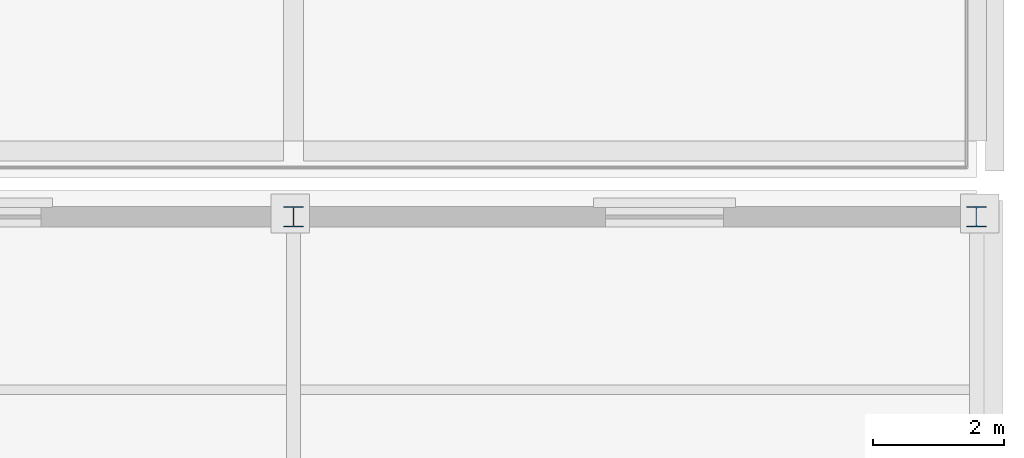
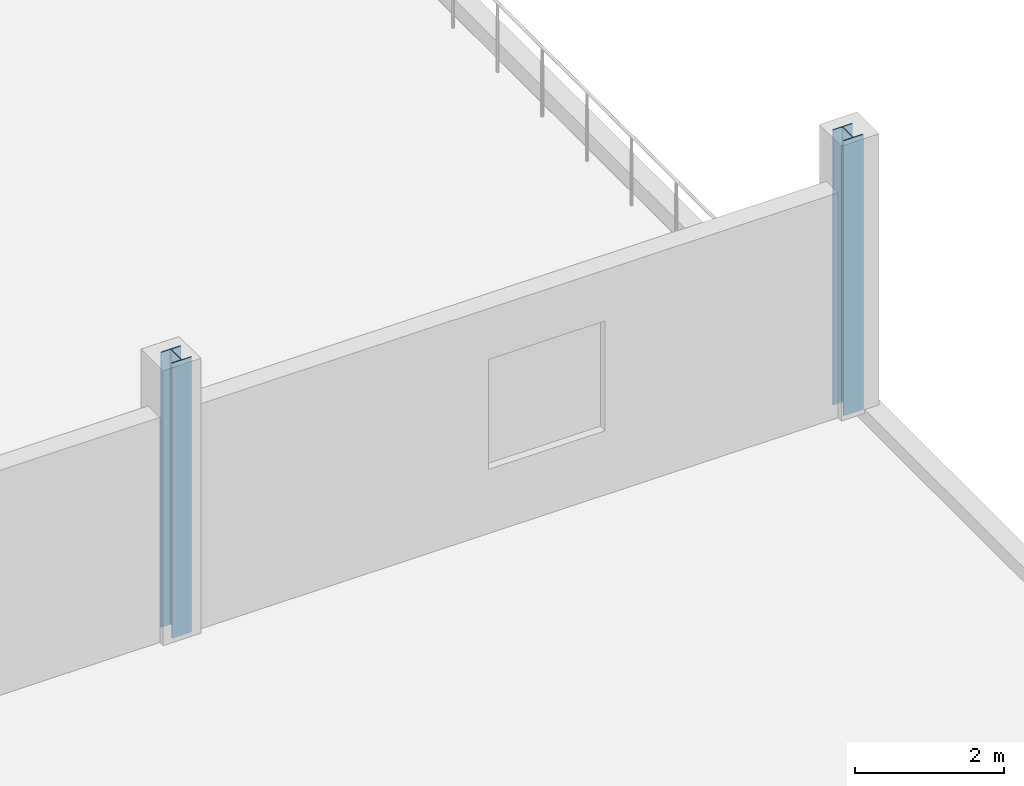
# One storey, part 15 of 156: 2 columns.
"""IFC4 building model written with IfcOpenShell, lengths in metres."""

from ifc_helpers import new_model, si_unit, direction, frame, origin, origin_2d, place, context, subcontext, project, spatial, i_section, extrude, material, material_profile, profile_set, type_object, element, save


model = new_model("IFC4")

# Units and contexts
model_context = context("Model", 3, precision=1e-05, world=origin(), true_north=direction((0.0, 1.0)))
body_context = subcontext(model_context, "Body", "Model", "MODEL_VIEW")
ifc_project = project(units=[si_unit("LENGTHUNIT", "METRE"), si_unit("AREAUNIT", "SQUARE_METRE"), si_unit("VOLUMEUNIT", "CUBIC_METRE"), si_unit("PLANEANGLEUNIT", "RADIAN"), si_unit("MASSUNIT", "GRAM", prefix="KILO")], contexts=[model_context])

# Site, building, storey
site_placement = place(None, origin())
site = spatial("IfcSite", under=ifc_project, at=site_placement, CompositionType="ELEMENT")
building_placement = place(site_placement, origin())
building = spatial("IfcBuilding", under=site, at=building_placement, Name="Caurita Quay Ferry Terminal", CompositionType="ELEMENT")
storey_placement = place(building_placement, frame((0.0, 0.0, 5.39990234375)))
storey = spatial("IfcBuildingStorey", under=building, at=storey_placement, Name="L01", CompositionType="ELEMENT", Elevation=5.39990234375)

# Columns
ifc_material = material(Name="Structural steel ASTM A992 Gr. 50", Category="steel")
ifc_material_profile = material_profile(ifc_material, i_section(OverallWidth=0.3046875, OverallDepth=0.307373046875, WebThickness=0.010009765625, FlangeThickness=0.015380859375, FilletRadius=0.01513671875, at=origin_2d()), Name="W12X65")
ifc_profile_set = profile_set([ifc_material_profile], Name="Structural steel ASTM A992 Gr. 50")
column_type = type_object("IfcColumnType", Name="COL-STL-11", PredefinedType="COLUMN", material=ifc_profile_set)
for number, where, z_axis, x_axis, name in (
    (1, (163.60009765625, 70.60009765625, 0.0), (0.0, 0.0, 1.0), (1.0, 0.0, 0.0), "L01 Column V3-HH-18-K"),
    (2, (174.0, 70.60009765625, 0.0), (0.0, 0.0, 1.0), (1.0, 0.0, 0.0), "L01 Column V3-HH-19-K"),
):
    element("IfcColumn", number, at=place(storey_placement, frame(where, z_axis=z_axis, x_axis=x_axis)), inside=storey, type_object=column_type, Name=name, PredefinedType="COLUMN", context=body_context, shape_type="SweptSolid", body=[
        extrude(i_section(OverallWidth=0.3046875, OverallDepth=0.307373046875, WebThickness=0.010009765625, FlangeThickness=0.015380859375, FilletRadius=0.01513671875, at=origin_2d()), origin(), (0.0, 0.0, 1.0), 4.5),
    ])

save(model, "model.ifc")
